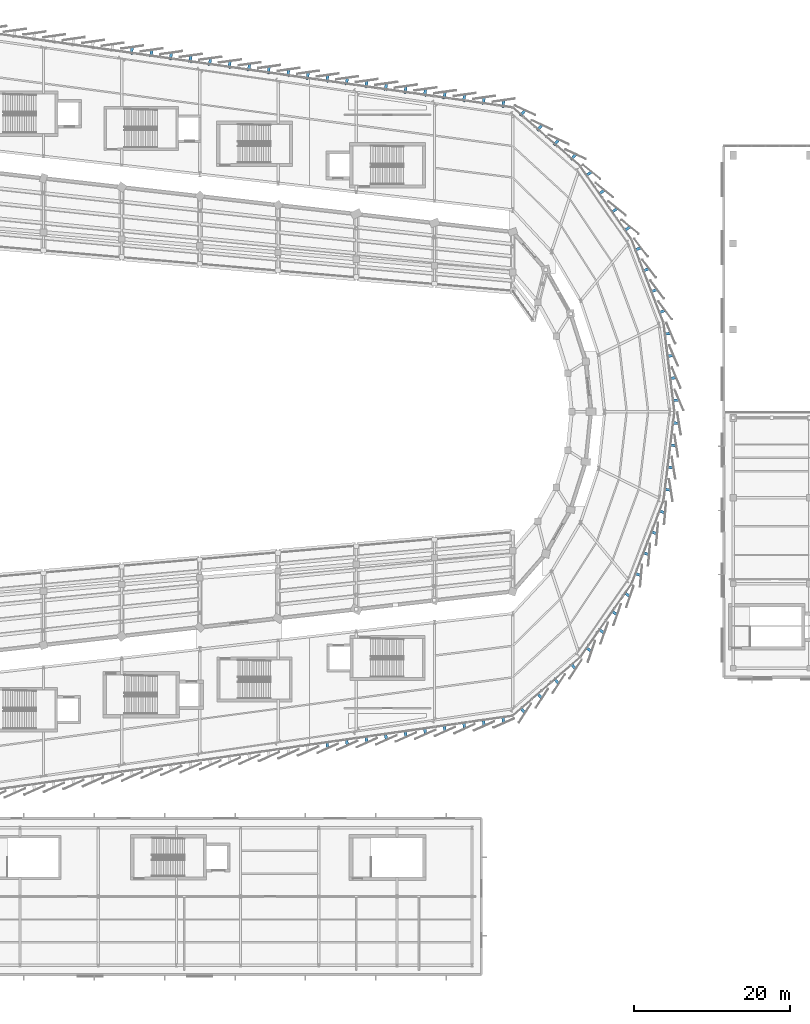
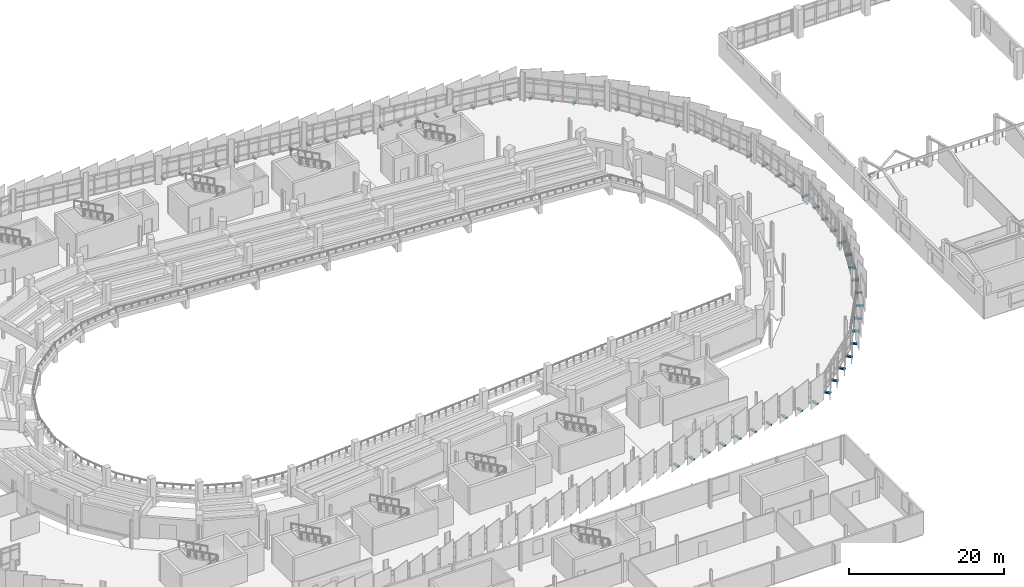
# One storey, part 109 of 120: 62 discrete accessories.
"""IFC4 building model written with IfcOpenShell, lengths in metres."""

from ifc_helpers import new_model, si_unit, direction, frame, origin, origin_2d, place, context, subcontext, project, spatial, rectangle, extrude, material, type_object, element, save


model = new_model("IFC4")

# Units and contexts
model_context = context("Model", 3, precision=1e-05, world=origin(), true_north=direction((0.0, 1.0)))
body_context = subcontext(model_context, "Body", "Model", "MODEL_VIEW")
ifc_project = project(units=[si_unit("LENGTHUNIT", "METRE"), si_unit("AREAUNIT", "SQUARE_METRE"), si_unit("VOLUMEUNIT", "CUBIC_METRE"), si_unit("PLANEANGLEUNIT", "RADIAN"), si_unit("MASSUNIT", "GRAM", prefix="KILO")], contexts=[model_context])

# Site, building, storey
site_placement = place(None, origin())
site = spatial("IfcSite", under=ifc_project, at=site_placement, CompositionType="ELEMENT")
building_placement = place(site_placement, origin())
building = spatial("IfcBuilding", under=site, at=building_placement, Name="Sohan Crest Arena", CompositionType="ELEMENT")
storey_placement = place(building_placement, frame((0.0, 0.0, 13.5)))
storey = spatial("IfcBuildingStorey", under=building, at=storey_placement, Name="L03", CompositionType="ELEMENT", Elevation=13.5)

# Discrete accessories
ifc_material = material(Name="Steel S355", Category="steel")
discrete_accessory_type = type_object("IfcDiscreteAccessoryType", Name="ARC-ACC-BRK1", PredefinedType="BRACKET", material=ifc_material)
for number, where, z_axis, x_axis, name in (
    (1, (144.294921875, 35.389892578125, -0.22998046875), (0.0, 0.0, 1.0), (0.990023657717, 0.140901231938, 0.0), "Ceramic scale carrier bracket BRK-0329"),
    (2, (146.794921875, 35.748046875, -0.22998046875), (0.0, 0.0, 1.0), (0.990023657717, 0.140901231938, 0.0), "Ceramic scale carrier bracket BRK-0330"),
    (3, (149.294921875, 36.10498046875, -0.22998046875), (0.0, 0.0, 1.0), (0.990023657717, 0.140901231938, 0.0), "Ceramic scale carrier bracket BRK-0331"),
    (4, (151.794921875, 36.4619140625, -0.22998046875), (0.0, 0.0, 1.0), (0.990023657717, 0.140901231938, 0.0), "Ceramic scale carrier bracket BRK-0332"),
    (5, (154.294921875, 36.819091796875, -0.22998046875), (0.0, 0.0, 1.0), (0.990023657717, 0.140901231938, 0.0), "Ceramic scale carrier bracket BRK-0333"),
    (6, (156.794921875, 37.176025390625, -0.22998046875), (0.0, 0.0, 1.0), (0.990023657717, 0.140901231938, 0.0), "Ceramic scale carrier bracket BRK-0334"),
    (7, (159.294921875, 37.532958984375, -0.22998046875), (0.0, 0.0, 1.0), (0.990023657717, 0.140901231938, 0.0), "Ceramic scale carrier bracket BRK-0335"),
    (8, (161.794921875, 37.889892578125, -0.22998046875), (0.0, 0.0, 1.0), (0.990023657717, 0.140901231938, 0.0), "Ceramic scale carrier bracket BRK-0336"),
    (9, (164.294921875, 38.2470703125, -0.22998046875), (0.0, 0.0, 1.0), (0.990023657717, 0.140901231938, 0.0), "Ceramic scale carrier bracket BRK-0337"),
    (10, (166.794921875, 38.60498046875, -0.22998046875), (0.0, 0.0, 1.0), (0.990023657717, 0.140901231938, 0.0), "Ceramic scale carrier bracket BRK-0338"),
    (11, (169.2900390625, 39.7958984375, -0.22998046875), (0.0, 0.0, 1.0), (0.754709580223, 0.656059028991, 0.0), "Ceramic scale carrier bracket BRK-0339"),
    (12, (171.448974609375, 41.6708984375, -0.22998046875), (0.0, 0.0, 1.0), (0.754709580223, 0.656059028991, 0.0), "Ceramic scale carrier bracket BRK-0340"),
    (13, (173.60888671875, 43.5458984375, -0.22998046875), (0.0, 0.0, 1.0), (0.754709580223, 0.656059028991, 0.0), "Ceramic scale carrier bracket BRK-0341"),
    (14, (175.76806640625, 45.4208984375, -0.22998046875), (0.0, 0.0, 1.0), (0.754709580223, 0.656059028991, 0.0), "Ceramic scale carrier bracket BRK-0342"),
    (15, (177.720947265625, 47.5869140625, -0.22998046875), (0.0, 0.0, 1.0), (0.573576436351, 0.819152044289, 0.0), "Ceramic scale carrier bracket BRK-0343"),
    (16, (179.362060546875, 49.928955078125, -0.22998046875), (0.0, 0.0, 1.0), (0.573576436351, 0.819152044289, 0.0), "Ceramic scale carrier bracket BRK-0344"),
    (17, (181.0029296875, 52.27099609375, -0.22998046875), (0.0, 0.0, 1.0), (0.573576436351, 0.819152044289, 0.0), "Ceramic scale carrier bracket BRK-0345"),
    (18, (182.64404296875, 54.612060546875, -0.22998046875), (0.0, 0.0, 1.0), (0.573576436351, 0.819152044289, 0.0), "Ceramic scale carrier bracket BRK-0346"),
    (19, (184.014892578125, 57.18701171875, -0.22998046875), (0.0, 0.0, 1.0), (0.358367949545, 0.933580426497, 0.0), "Ceramic scale carrier bracket BRK-0347"),
    (20, (185.0400390625, 59.85693359375, -0.22998046875), (0.0, 0.0, 1.0), (0.358367949545, 0.933580426497, 0.0), "Ceramic scale carrier bracket BRK-0348"),
    (21, (186.06591796875, 62.527099609375, -0.22998046875), (0.0, 0.0, 1.0), (0.358367949545, 0.933580426497, 0.0), "Ceramic scale carrier bracket BRK-0349"),
    (22, (187.092041015625, 65.196044921875, -0.22998046875), (0.0, 0.0, 1.0), (0.358367949545, 0.933580426497, 0.0), "Ceramic scale carrier bracket BRK-0350"),
    (23, (187.798095703125, 68.02587890625, -0.22998046875), (0.0, 0.0, 1.0), (0.121869343405, 0.992546151641, 0.0), "Ceramic scale carrier bracket BRK-0351"),
    (24, (188.14697265625, 70.864990234375, -0.22998046875), (0.0, 0.0, 1.0), (0.121869343405, 0.992546151641, 0.0), "Ceramic scale carrier bracket BRK-0352"),
    (25, (188.4951171875, 73.702880859375, -0.22998046875), (0.0, 0.0, 1.0), (0.121869343405, 0.992546151641, 0.0), "Ceramic scale carrier bracket BRK-0353"),
    (26, (188.843994140625, 76.5419921875, -0.22998046875), (0.0, 0.0, 1.0), (0.121869343405, 0.992546151641, 0.0), "Ceramic scale carrier bracket BRK-0354"),
    (27, (188.843994140625, 79.4580078125, -0.22998046875), (0.0, 0.0, 1.0), (-0.121869343405, 0.992546151641, 0.0), "Ceramic scale carrier bracket BRK-0355"),
    (28, (188.4951171875, 82.297119140625, -0.22998046875), (0.0, 0.0, 1.0), (-0.121869343405, 0.992546151641, 0.0), "Ceramic scale carrier bracket BRK-0356"),
    (29, (188.14697265625, 85.135009765625, -0.22998046875), (0.0, 0.0, 1.0), (-0.121869343405, 0.992546151641, 0.0), "Ceramic scale carrier bracket BRK-0357"),
    (30, (187.798095703125, 87.97412109375, -0.22998046875), (0.0, 0.0, 1.0), (-0.121869343405, 0.992546151641, 0.0), "Ceramic scale carrier bracket BRK-0358"),
    (31, (187.092041015625, 90.803955078125, -0.22998046875), (0.0, 0.0, 1.0), (-0.358367949545, 0.933580426497, 0.0), "Ceramic scale carrier bracket BRK-0359"),
    (32, (186.06591796875, 93.472900390625, -0.22998046875), (0.0, 0.0, 1.0), (-0.358367949545, 0.933580426497, 0.0), "Ceramic scale carrier bracket BRK-0360"),
    (33, (185.0400390625, 96.14306640625, -0.22998046875), (0.0, 0.0, 1.0), (-0.358367949545, 0.933580426497, 0.0), "Ceramic scale carrier bracket BRK-0361"),
    (34, (184.014892578125, 98.81298828125, -0.22998046875), (0.0, 0.0, 1.0), (-0.358367949545, 0.933580426497, 0.0), "Ceramic scale carrier bracket BRK-0362"),
    (35, (182.64404296875, 101.387939453125, -0.22998046875), (0.0, 0.0, 1.0), (-0.573576436351, 0.819152044289, 0.0), "Ceramic scale carrier bracket BRK-0363"),
    (36, (181.0029296875, 103.72900390625, -0.22998046875), (0.0, 0.0, 1.0), (-0.573576436351, 0.819152044289, 0.0), "Ceramic scale carrier bracket BRK-0364"),
    (37, (179.362060546875, 106.071044921875, -0.22998046875), (0.0, 0.0, 1.0), (-0.573576436351, 0.819152044289, 0.0), "Ceramic scale carrier bracket BRK-0365"),
    (38, (177.720947265625, 108.4130859375, -0.22998046875), (0.0, 0.0, 1.0), (-0.573576436351, 0.819152044289, 0.0), "Ceramic scale carrier bracket BRK-0366"),
    (39, (175.76806640625, 110.5791015625, -0.22998046875), (0.0, 0.0, 1.0), (-0.754709580223, 0.656059028991, 0.0), "Ceramic scale carrier bracket BRK-0367"),
    (40, (173.60888671875, 112.4541015625, -0.22998046875), (0.0, 0.0, 1.0), (-0.754709580223, 0.656059028991, 0.0), "Ceramic scale carrier bracket BRK-0368"),
    (41, (171.448974609375, 114.3291015625, -0.22998046875), (0.0, 0.0, 1.0), (-0.754709580223, 0.656059028991, 0.0), "Ceramic scale carrier bracket BRK-0369"),
    (42, (169.2900390625, 116.2041015625, -0.22998046875), (0.0, 0.0, 1.0), (-0.754709580223, 0.656059028991, 0.0), "Ceramic scale carrier bracket BRK-0370"),
    (43, (166.794921875, 117.39501953125, -0.22998046875), (0.0, 0.0, 1.0), (-0.990023657717, 0.140901231938, 0.0), "Ceramic scale carrier bracket BRK-0371"),
    (44, (164.294921875, 117.7529296875, -0.22998046875), (0.0, 0.0, 1.0), (-0.990023657717, 0.140901231938, 0.0), "Ceramic scale carrier bracket BRK-0372"),
    (45, (161.794921875, 118.110107421875, -0.22998046875), (0.0, 0.0, 1.0), (-0.990023657717, 0.140901231938, 0.0), "Ceramic scale carrier bracket BRK-0373"),
    (46, (159.294921875, 118.467041015625, -0.22998046875), (0.0, 0.0, 1.0), (-0.990023657717, 0.140901231938, 0.0), "Ceramic scale carrier bracket BRK-0374"),
    (47, (156.794921875, 118.823974609375, -0.22998046875), (0.0, 0.0, 1.0), (-0.990023657717, 0.140901231938, 0.0), "Ceramic scale carrier bracket BRK-0375"),
    (48, (154.294921875, 119.180908203125, -0.22998046875), (0.0, 0.0, 1.0), (-0.990023657717, 0.140901231938, 0.0), "Ceramic scale carrier bracket BRK-0376"),
    (49, (151.794921875, 119.5380859375, -0.22998046875), (0.0, 0.0, 1.0), (-0.990023657717, 0.140901231938, 0.0), "Ceramic scale carrier bracket BRK-0377"),
    (50, (149.294921875, 119.89501953125, -0.22998046875), (0.0, 0.0, 1.0), (-0.990023657717, 0.140901231938, 0.0), "Ceramic scale carrier bracket BRK-0378"),
    (51, (146.794921875, 120.251953125, -0.22998046875), (0.0, 0.0, 1.0), (-0.990023657717, 0.140901231938, 0.0), "Ceramic scale carrier bracket BRK-0379"),
    (52, (144.294921875, 120.610107421875, -0.22998046875), (0.0, 0.0, 1.0), (-0.990023657717, 0.140901231938, 0.0), "Ceramic scale carrier bracket BRK-0380"),
    (53, (141.794921875, 120.967041015625, -0.22998046875), (0.0, 0.0, 1.0), (-0.990023657717, 0.140901231938, 0.0), "Ceramic scale carrier bracket BRK-0381"),
    (54, (139.294921875, 121.323974609375, -0.22998046875), (0.0, 0.0, 1.0), (-0.990023657717, 0.140901231938, 0.0), "Ceramic scale carrier bracket BRK-0382"),
    (55, (136.794921875, 121.680908203125, -0.22998046875), (0.0, 0.0, 1.0), (-0.990023657717, 0.140901231938, 0.0), "Ceramic scale carrier bracket BRK-0383"),
    (56, (134.294921875, 122.0380859375, -0.22998046875), (0.0, 0.0, 1.0), (-0.990023657717, 0.140901231938, 0.0), "Ceramic scale carrier bracket BRK-0384"),
    (57, (131.794921875, 122.39501953125, -0.22998046875), (0.0, 0.0, 1.0), (-0.990023657717, 0.140901231938, 0.0), "Ceramic scale carrier bracket BRK-0385"),
    (58, (129.294921875, 122.751953125, -0.22998046875), (0.0, 0.0, 1.0), (-0.990023657717, 0.140901231938, 0.0), "Ceramic scale carrier bracket BRK-0386"),
    (59, (126.794921875, 123.10888671875, -0.22998046875), (0.0, 0.0, 1.0), (-0.990023657717, 0.140901231938, 0.0), "Ceramic scale carrier bracket BRK-0387"),
    (60, (124.294921875, 123.467041015625, -0.22998046875), (0.0, 0.0, 1.0), (-0.990023657717, 0.140901231938, 0.0), "Ceramic scale carrier bracket BRK-0388"),
    (61, (121.794921875, 123.823974609375, -0.22998046875), (0.0, 0.0, 1.0), (-0.990023657717, 0.140901231938, 0.0), "Ceramic scale carrier bracket BRK-0389"),
    (62, (119.294921875, 124.180908203125, -0.22998046875), (0.0, 0.0, 1.0), (-0.990023657717, 0.140901231938, 0.0), "Ceramic scale carrier bracket BRK-0390"),
):
    element("IfcDiscreteAccessory", number, at=place(storey_placement, frame(where, z_axis=z_axis, x_axis=x_axis)), inside=storey, type_object=discrete_accessory_type, Name=name, PredefinedType="BRACKET", context=body_context, shape_type="SweptSolid", body=[
        extrude(rectangle(XDim=0.35009765625, YDim=0.9599609375, at=origin_2d()), origin(), (0.0, 0.0, 1.0), 0.219970703125),
    ])

save(model, "model.ifc")
